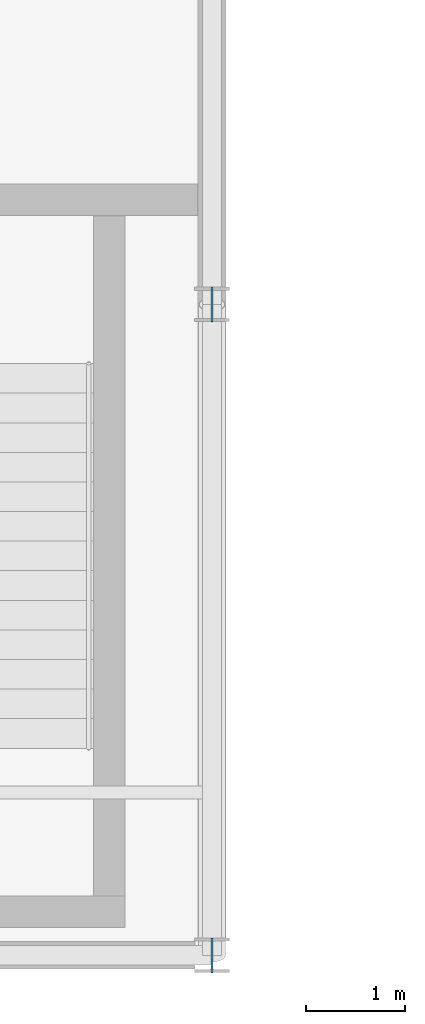
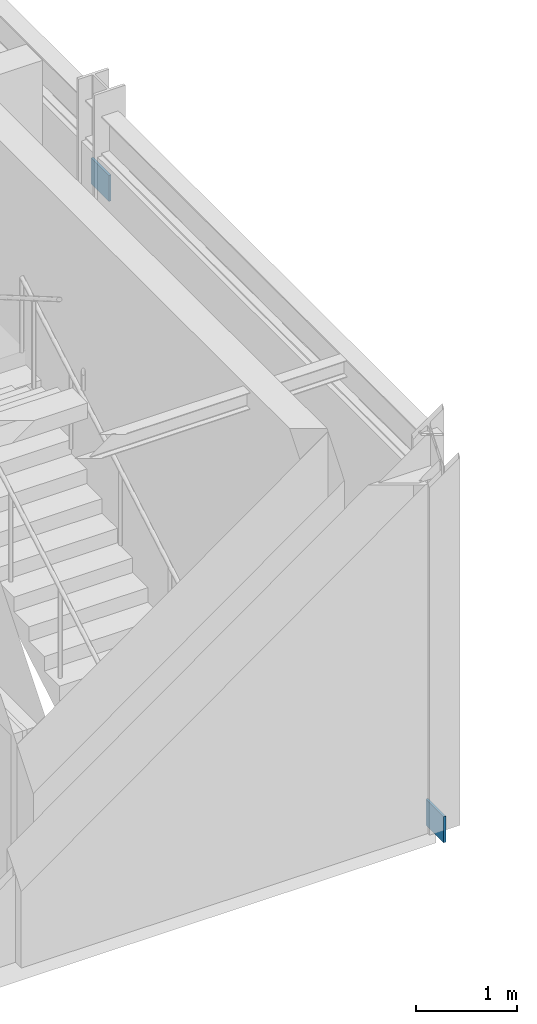
# One storey, part 106 of 144: 2 plates.
"""IFC4 building model written with IfcOpenShell, lengths in metres."""

from ifc_helpers import new_model, si_unit, direction, frame, origin, origin_2d, place, context, subcontext, project, spatial, rectangle, extrude, material, layer, layer_set, type_object, element, save


model = new_model("IFC4")

# Units and contexts
model_context = context("Model", 3, precision=1e-05, world=origin(), true_north=direction((0.0, 1.0)))
body_context = subcontext(model_context, "Body", "Model", "MODEL_VIEW")
ifc_project = project(units=[si_unit("LENGTHUNIT", "METRE"), si_unit("AREAUNIT", "SQUARE_METRE"), si_unit("VOLUMEUNIT", "CUBIC_METRE"), si_unit("PLANEANGLEUNIT", "RADIAN"), si_unit("MASSUNIT", "GRAM", prefix="KILO")], contexts=[model_context])

# Site, building, storey
site_placement = place(None, origin())
site = spatial("IfcSite", under=ifc_project, at=site_placement, CompositionType="ELEMENT")
building_placement = place(site_placement, origin())
building = spatial("IfcBuilding", under=site, at=building_placement, Name="Karori Crest Natural Sciences Institute", CompositionType="ELEMENT")
storey_placement = place(building_placement, origin())
storey = spatial("IfcBuildingStorey", under=building, at=storey_placement, Name="L00", CompositionType="ELEMENT", Elevation=0.0)

# Plates
ifc_material = material(Name="Structural steel AS/NZS 3679.1 Grade 350", Category="steel")
ifc_layer = layer(ifc_material, 0.02490234375, Name="Structural steel AS/NZS 3679.1 Grade 350")
ifc_layer_set = layer_set([ifc_layer], Name="Structural steel AS/NZS 3679.1 Grade 350")
plate_type = type_object("IfcPlateType", Name="PLT-06-EL", PredefinedType="SHEET", material=ifc_layer_set)
for number, where, z_axis, x_axis, name in (
    (1, (27.199951171875, 0.800048828125, -0.146484375), (0.0, 0.0, 1.0), (0.0, 1.0, 0.0), "Brace gusset plate EP-0213"),
    (2, (27.199951171875, 7.39990234375, 3.5654296875), (0.0, 0.0, 1.0), (0.0, 1.0, 0.0), "Brace gusset plate EP-0214"),
):
    element("IfcPlate", number, at=place(storey_placement, frame(where, z_axis=z_axis, x_axis=x_axis)), inside=storey, type_object=plate_type, Name=name, PredefinedType="SHEET", context=body_context, shape_type="SweptSolid", body=[
        extrude(rectangle(XDim=0.35302734375, YDim=0.02490234375, at=origin_2d()), origin(), (0.0, 0.0, 1.0), 0.31298828125),
    ])

save(model, "model.ifc")
